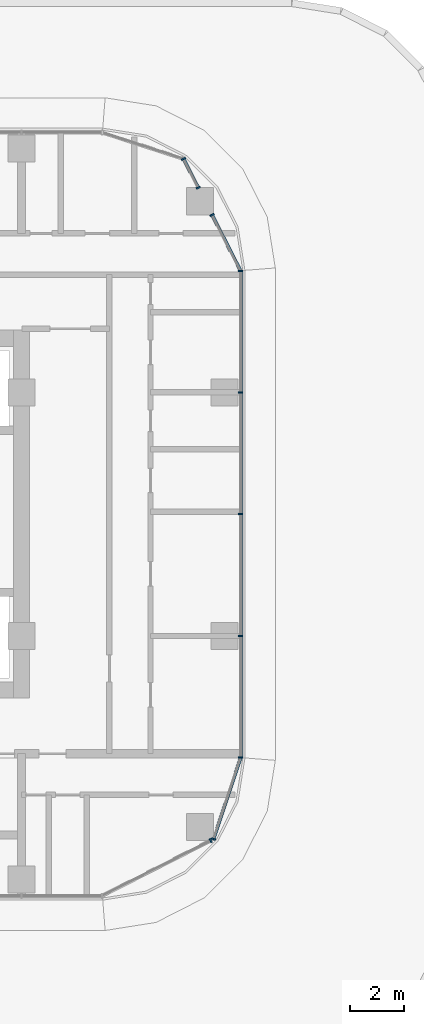
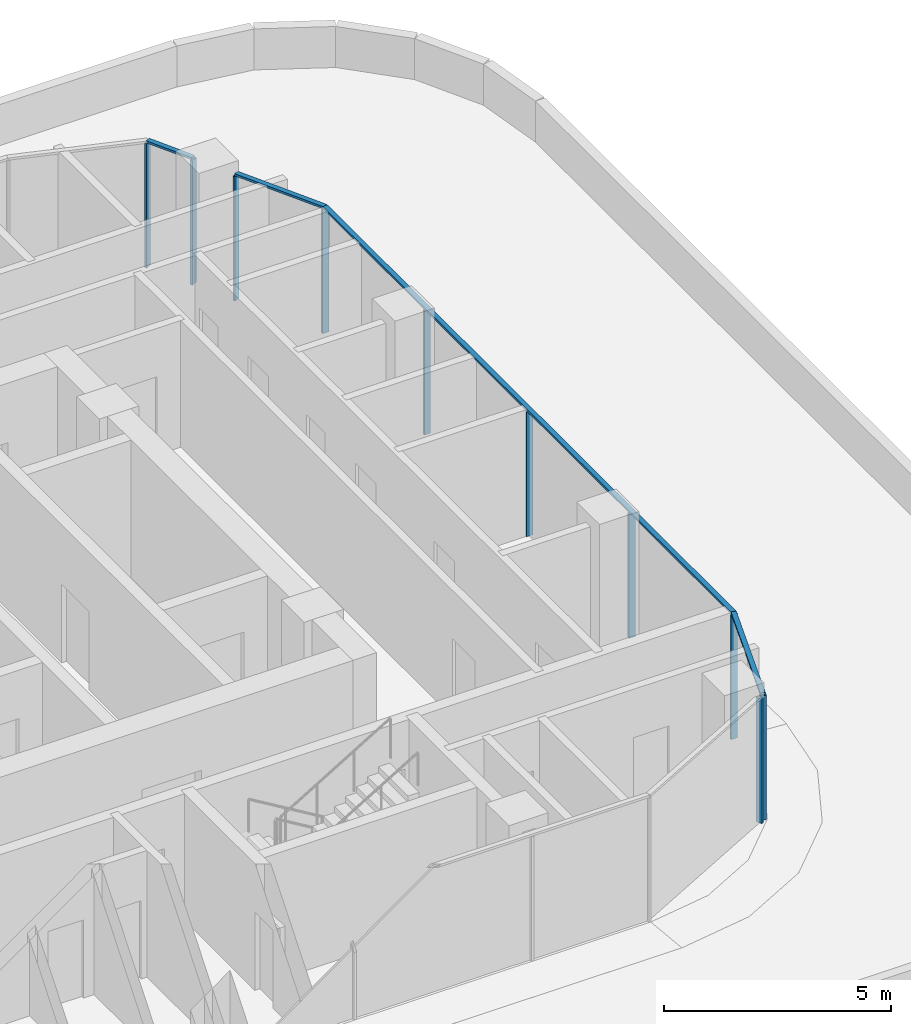
# One storey, part 11 of 51: 14 members, 5 elements without a shape of their own.
"""IFC4 building model written with IfcOpenShell, lengths in metres."""

from ifc_helpers import new_model, si_unit, direction, frame, origin, origin_2d, place, context, subcontext, project, spatial, rectangle, extrude, material, material_profile, profile_set, type_object, element, aggregate, save


model = new_model("IFC4")

# Units and contexts
model_context = context("Model", 3, precision=1e-05, world=origin(), true_north=direction((0.0, 1.0)))
body_context = subcontext(model_context, "Body", "Model", "MODEL_VIEW")
ifc_project = project(units=[si_unit("LENGTHUNIT", "METRE"), si_unit("AREAUNIT", "SQUARE_METRE"), si_unit("VOLUMEUNIT", "CUBIC_METRE"), si_unit("PLANEANGLEUNIT", "RADIAN"), si_unit("MASSUNIT", "GRAM", prefix="KILO")], contexts=[model_context])

# Site, building, storey
site_placement = place(None, origin())
site = spatial("IfcSite", under=ifc_project, at=site_placement, CompositionType="ELEMENT")
building_placement = place(site_placement, origin())
building = spatial("IfcBuilding", under=site, at=building_placement, Name="Ogive Portal Towers", CompositionType="ELEMENT")
storey_placement = place(building_placement, frame((0.0, 0.0, 33.5)))
storey = spatial("IfcBuildingStorey", under=building, at=storey_placement, Name="L06", CompositionType="ELEMENT", Elevation=33.5)

# Curtain wall, members
ifc_material_1 = material(Name="Glass, clear low-iron insulated glazing", Category="glass")
curtain_wall_type = type_object("IfcCurtainWallType", Name="CW RESIDENCES RIBBON", PredefinedType="NOTDEFINED", material=ifc_material_1)
curtain_wall_1_placement = place(storey_placement, origin())
curtain_wall_1 = element("IfcCurtainWall", 1, at=curtain_wall_1_placement, inside=storey, type_object=curtain_wall_type, Name="B:L06:f05:cw0", PredefinedType="NOTDEFINED")
ifc_material_2 = material(Name="Aluminium 6063 anodised", Category="aluminium")
ifc_material_profile_1 = material_profile(ifc_material_2, rectangle(XDim=0.159912109375, YDim=0.06005859375, at=origin_2d()), Name="AL 60x160")
ifc_profile_set_1 = profile_set([ifc_material_profile_1], Name="Aluminium 6063 anodised")
member_type_1 = type_object("IfcMemberType", Name="CW MULLION 60x160", PredefinedType="MULLION", material=ifc_profile_set_1)
member_1_placement = place(storey_placement, frame((152.10009765625, 22.0126953125, 0.0), z_axis=(0.0, 0.0, 1.0), x_axis=(-1.0, 0.0, 0.0)))
member_1 = element("IfcMember", 2, at=member_1_placement, type_object=member_type_1, Name="mullion", PredefinedType="MULLION", context=body_context, shape_type="SweptSolid", body=[
    extrude(rectangle(XDim=0.159912109375, YDim=0.06005859375, at=origin_2d()), origin(), (0.0, 0.0, 1.0), 3.340087890625),
])
member_2_placement = place(storey_placement, frame((152.10009765625, 26.5, 0.0), z_axis=(0.0, 0.0, 1.0), x_axis=(-1.0, 0.0, 0.0)))
member_2 = element("IfcMember", 3, at=member_2_placement, type_object=member_type_1, Name="mullion", PredefinedType="MULLION", context=body_context, shape_type="SweptSolid", body=[
    extrude(rectangle(XDim=0.159912109375, YDim=0.06005859375, at=origin_2d()), origin(), (0.0, 0.0, 1.0), 3.340087890625),
])
member_3_placement = place(storey_placement, frame((152.10009765625, 31.0, 0.0), z_axis=(0.0, 0.0, 1.0), x_axis=(-1.0, 0.0, 0.0)))
member_3 = element("IfcMember", 4, at=member_3_placement, type_object=member_type_1, Name="mullion", PredefinedType="MULLION", context=body_context, shape_type="SweptSolid", body=[
    extrude(rectangle(XDim=0.159912109375, YDim=0.06005859375, at=origin_2d()), origin(), (0.0, 0.0, 1.0), 3.340087890625),
])
member_4_placement = place(storey_placement, frame((152.10009765625, 35.5, 0.0), z_axis=(0.0, 0.0, 1.0), x_axis=(-1.0, 0.0, 0.0)))
member_4 = element("IfcMember", 5, at=member_4_placement, type_object=member_type_1, Name="mullion", PredefinedType="MULLION", context=body_context, shape_type="SweptSolid", body=[
    extrude(rectangle(XDim=0.159912109375, YDim=0.06005859375, at=origin_2d()), origin(), (0.0, 0.0, 1.0), 3.340087890625),
])
member_5_placement = place(storey_placement, frame((152.10009765625, 39.980712890625, 0.0), z_axis=(0.0, 0.0, 1.0), x_axis=(-1.0, 0.0, 0.0)))
member_5 = element("IfcMember", 6, at=member_5_placement, type_object=member_type_1, Name="mullion", PredefinedType="MULLION", context=body_context, shape_type="SweptSolid", body=[
    extrude(rectangle(XDim=0.159912109375, YDim=0.06005859375, at=origin_2d()), origin(), (0.0, 0.0, 1.0), 3.340087890625),
])

# Curtain wall, member
curtain_wall_2_placement = place(storey_placement, origin())
curtain_wall_2 = element("IfcCurtainWall", 7, at=curtain_wall_2_placement, inside=storey, type_object=curtain_wall_type, Name="B:L06:f03:cwa~0", PredefinedType="NOTDEFINED")
member_6_placement = place(storey_placement, frame((150.988525390625, 18.94189453125, 0.0), z_axis=(0.0, 0.0, 1.0), x_axis=(-0.45399049974, 0.891006524188, 0.0)))
member_6 = element("IfcMember", 8, at=member_6_placement, type_object=member_type_1, Name="mullion", PredefinedType="MULLION", context=body_context, shape_type="SweptSolid", body=[
    extrude(rectangle(XDim=0.159912109375, YDim=0.06005859375, at=origin_2d()), origin(), (0.0, 0.0, 1.0), 3.340087890625),
])
aggregate(curtain_wall_2, [member_6])

curtain_wall_3_placement = place(storey_placement, origin())
curtain_wall_3 = element("IfcCurtainWall", 9, at=curtain_wall_3_placement, inside=storey, type_object=curtain_wall_type, Name="B:L06:f03:cwa~1", PredefinedType="NOTDEFINED")
member_7_placement = place(storey_placement, frame((151.09912109375, 18.998291015625, 0.0), z_axis=(0.0, 0.0, 1.0), x_axis=(-0.949039718769, 0.315156488428, 0.0)))
member_7 = element("IfcMember", 10, at=member_7_placement, type_object=member_type_1, Name="mullion", PredefinedType="MULLION", context=body_context, shape_type="SweptSolid", body=[
    extrude(rectangle(XDim=0.159912109375, YDim=0.06005859375, at=origin_2d()), origin(), (0.0, 0.0, 1.0), 3.340087890625),
])

curtain_wall_4_placement = place(storey_placement, origin())
curtain_wall_4 = element("IfcCurtainWall", 11, at=curtain_wall_4_placement, inside=storey, type_object=curtain_wall_type, Name="B:L06:f06:cwa~0", PredefinedType="NOTDEFINED")
member_8_placement = place(storey_placement, frame((151.04150390625, 42.05810546875, 0.0), z_axis=(0.0, 0.0, 1.0), x_axis=(-0.891006524188, -0.45399049974, 0.0)))
member_8 = element("IfcMember", 12, at=member_8_placement, type_object=member_type_1, Name="mullion", PredefinedType="MULLION", context=body_context, shape_type="SweptSolid", body=[
    extrude(rectangle(XDim=0.159912109375, YDim=0.06005859375, at=origin_2d()), origin(), (0.0, 0.0, 1.0), 3.340087890625),
])

# Curtain wall, members
curtain_wall_5_placement = place(storey_placement, origin())
curtain_wall_5 = element("IfcCurtainWall", 13, at=curtain_wall_5_placement, inside=storey, type_object=curtain_wall_type, Name="B:L06:f06:cwa~1", PredefinedType="NOTDEFINED")
member_9_placement = place(storey_placement, frame((150.531982421875, 43.05810546875, 0.0), z_axis=(0.0, 0.0, 1.0), x_axis=(-0.891006524188, -0.45399049974, 0.0)))
member_9 = element("IfcMember", 14, at=member_9_placement, type_object=member_type_1, Name="mullion", PredefinedType="MULLION", context=body_context, shape_type="SweptSolid", body=[
    extrude(rectangle(XDim=0.159912109375, YDim=0.06005859375, at=origin_2d()), origin(), (0.0, 0.0, 1.0), 3.340087890625),
])
member_10_placement = place(storey_placement, frame((149.988525390625, 44.124755859375, 0.0), z_axis=(0.0, 0.0, 1.0), x_axis=(-0.891006524188, -0.45399049974, 0.0)))
member_10 = element("IfcMember", 15, at=member_10_placement, type_object=member_type_1, Name="mullion", PredefinedType="MULLION", context=body_context, shape_type="SweptSolid", body=[
    extrude(rectangle(XDim=0.159912109375, YDim=0.06005859375, at=origin_2d()), origin(), (0.0, 0.0, 1.0), 3.340087890625),
])

# Member
ifc_material_profile_2 = material_profile(ifc_material_2, rectangle(XDim=0.1201171875, YDim=0.06005859375, at=origin_2d()), Name="AL 120x60")
ifc_profile_set_2 = profile_set([ifc_material_profile_2], Name="Aluminium 6063 anodised")
member_type_2 = type_object("IfcMemberType", Name="CW TRANSOM 60x120", PredefinedType="USERDEFINED", material=ifc_profile_set_2)
member_11_placement = place(storey_placement, frame((152.10009765625, 22.0126953125, 3.3701171875), z_axis=(0.0, 1.0, 0.0), x_axis=(-1.0, 0.0, 0.0)))
member_11 = element("IfcMember", 16, at=member_11_placement, type_object=member_type_2, Name="transom", ObjectType="TRANSOM", PredefinedType="USERDEFINED", context=body_context, shape_type="SweptSolid", body=[
    extrude(rectangle(XDim=0.1201171875, YDim=0.06005859375, at=origin_2d()), origin(), (0.0, 0.0, 1.0), 17.968017578125),
])

aggregate(curtain_wall_1, [member_11, member_1, member_2, member_3, member_4, member_5])

member_12_placement = place(storey_placement, frame((151.09912109375, 18.998291015625, 3.3701171875), z_axis=(0.315143772541, 0.949043941358, 0.0), x_axis=(-0.949043941358, 0.315143772541, 0.0)))
member_12 = element("IfcMember", 17, at=member_12_placement, type_object=member_type_2, Name="transom", ObjectType="TRANSOM", PredefinedType="USERDEFINED", context=body_context, shape_type="SweptSolid", body=[
    extrude(rectangle(XDim=0.1201171875, YDim=0.06005859375, at=origin_2d()), origin(), (0.0, 0.0, 1.0), 3.17626953125),
])

aggregate(curtain_wall_3, [member_12, member_7])

member_13_placement = place(storey_placement, frame((152.10009765625, 39.980712890625, 3.3701171875), z_axis=(-0.454027737199, 0.890987549775, 0.0), x_axis=(-0.890987549775, -0.454027737199, 0.0)))
member_13 = element("IfcMember", 18, at=member_13_placement, type_object=member_type_2, Name="transom", ObjectType="TRANSOM", PredefinedType="USERDEFINED", context=body_context, shape_type="SweptSolid", body=[
    extrude(rectangle(XDim=0.1201171875, YDim=0.06005859375, at=origin_2d()), origin(), (0.0, 0.0, 1.0), 2.33154296875),
])

aggregate(curtain_wall_4, [member_13, member_8])

member_14_placement = place(storey_placement, frame((150.531982421875, 43.05810546875, 3.3701171875), z_axis=(-0.453971606911, 0.891016150313, 0.0), x_axis=(-0.891016150313, -0.453971606911, 0.0)))
member_14 = element("IfcMember", 19, at=member_14_placement, type_object=member_type_2, Name="transom", ObjectType="TRANSOM", PredefinedType="USERDEFINED", context=body_context, shape_type="SweptSolid", body=[
    extrude(rectangle(XDim=0.1201171875, YDim=0.06005859375, at=origin_2d()), origin(), (0.0, 0.0, 1.0), 1.197021484375),
])

aggregate(curtain_wall_5, [member_14, member_9, member_10])

save(model, "model.ifc")
